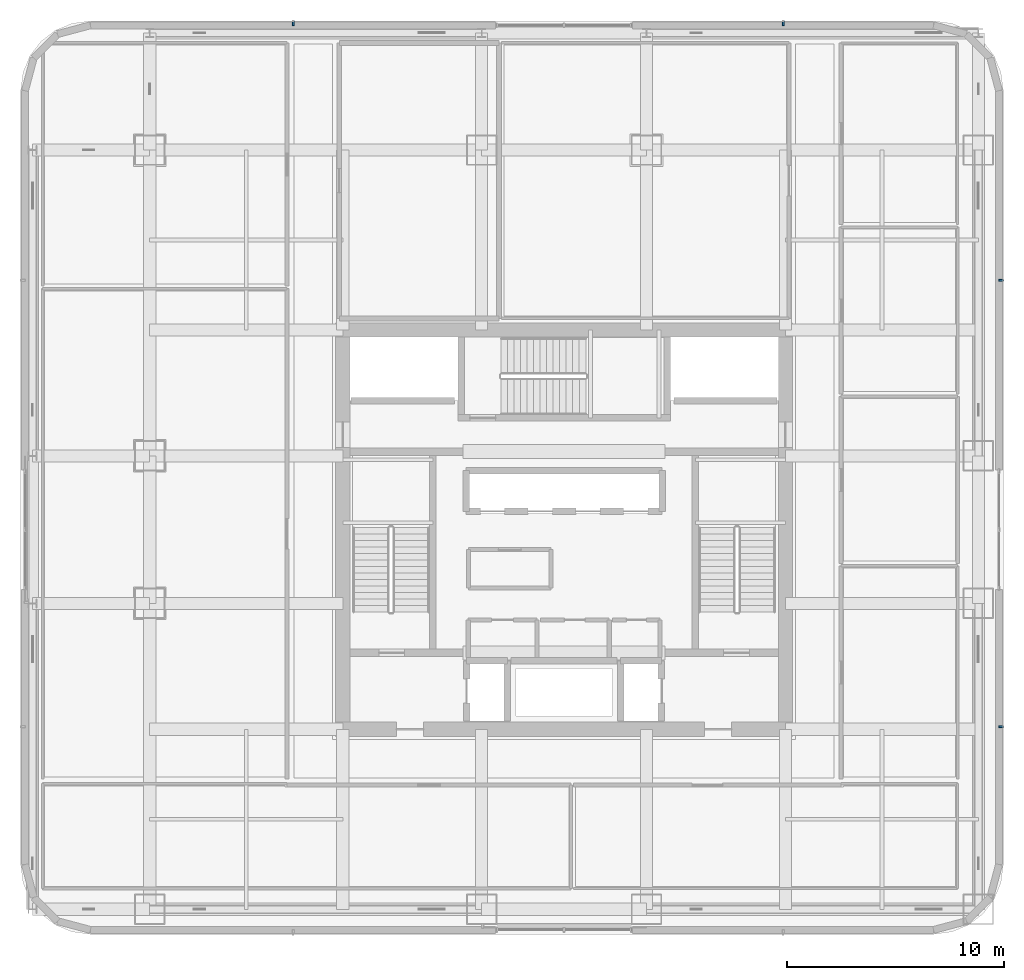
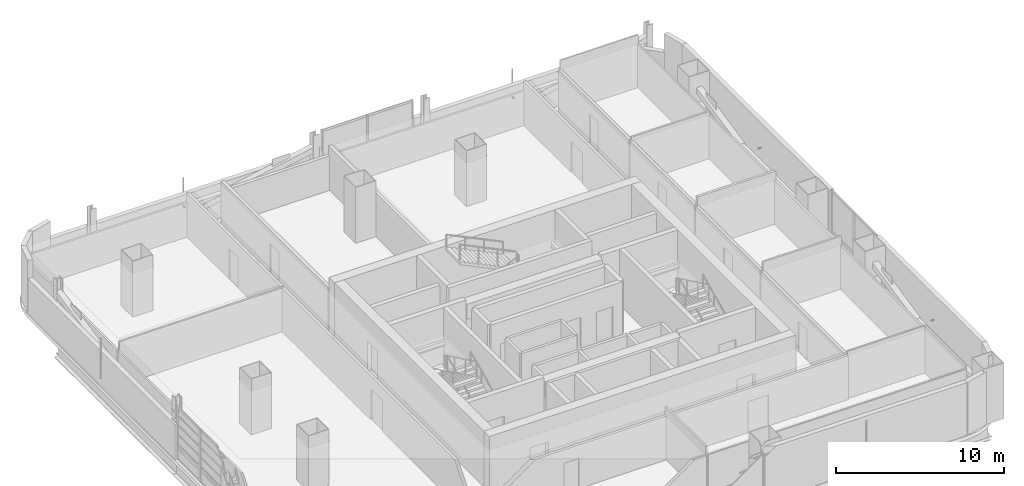
# One storey, part 17 of 32: 4 discrete accessories.
"""IFC4 building model written with IfcOpenShell, lengths in metres."""

from ifc_helpers import new_model, si_unit, direction, frame, origin, origin_2d, place, context, subcontext, project, spatial, rectangle, extrude, material, type_object, element, save


model = new_model("IFC4")

# Units and contexts
model_context = context("Model", 3, precision=1e-05, world=origin(), true_north=direction((0.0, 1.0)))
body_context = subcontext(model_context, "Body", "Model", "MODEL_VIEW")
ifc_project = project(units=[si_unit("LENGTHUNIT", "METRE"), si_unit("AREAUNIT", "SQUARE_METRE"), si_unit("VOLUMEUNIT", "CUBIC_METRE"), si_unit("PLANEANGLEUNIT", "RADIAN"), si_unit("MASSUNIT", "GRAM", prefix="KILO")], contexts=[model_context])

# Site, building, storey
site_placement = place(None, origin())
site = spatial("IfcSite", under=ifc_project, at=site_placement, CompositionType="ELEMENT")
building_placement = place(site_placement, origin())
building = spatial("IfcBuilding", under=site, at=building_placement, Name="Punatoya Terracotta Tower", CompositionType="ELEMENT")
storey_placement = place(building_placement, frame((0.0, 0.0, 139.800048828125)))
storey = spatial("IfcBuildingStorey", under=building, at=storey_placement, Name="L32", CompositionType="ELEMENT", Elevation=139.800048828125)

# Discrete accessories
ifc_material = material(Name="Steel S355", Category="steel")
discrete_accessory_type = type_object("IfcDiscreteAccessoryType", Name="ACC-BRK-220", PredefinedType="BRACKET", material=ifc_material)
for number, where, z_axis, x_axis, name in (
    (1, (20.14990234375, -9.093505859375, 1.449951171875), (0.0, 0.0, 1.0), (0.0, 1.0, 0.0), "L32 Jali Fin Support Bracket E1"),
    (2, (20.14990234375, 11.493408203125, 1.449951171875), (0.0, 0.0, 1.0), (0.0, 1.0, 0.0), "L32 Jali Fin Support Bracket E2"),
    (3, (10.093505859375, 23.35009765625, 1.449951171875), (0.0, 0.0, 1.0), (-1.0, 0.0, 0.0), "L32 Jali Fin Support Bracket N1"),
    (4, (-12.493408203125, 23.35009765625, 1.449951171875), (0.0, 0.0, 1.0), (-1.0, 0.0, 0.0), "L32 Jali Fin Support Bracket N2"),
):
    element("IfcDiscreteAccessory", number, at=place(storey_placement, frame(where, z_axis=z_axis, x_axis=x_axis)), inside=storey, type_object=discrete_accessory_type, Name=name, PredefinedType="BRACKET", context=body_context, shape_type="SweptSolid", body=[
        extrude(rectangle(XDim=0.090087890625, YDim=0.219970703125, at=origin_2d()), origin(), (0.0, 0.0, 1.0), 0.10009765625),
    ])

save(model, "model.ifc")
